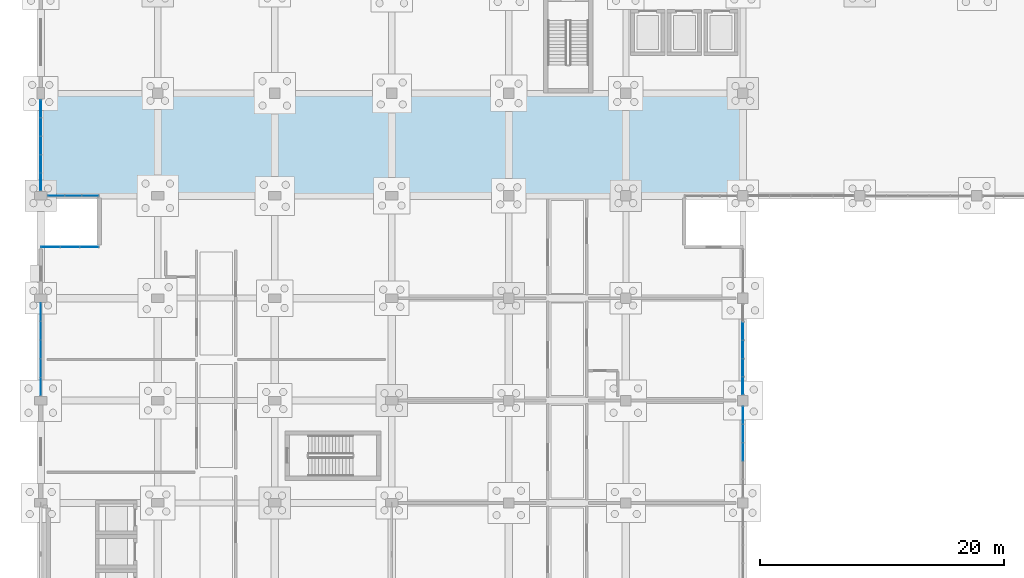
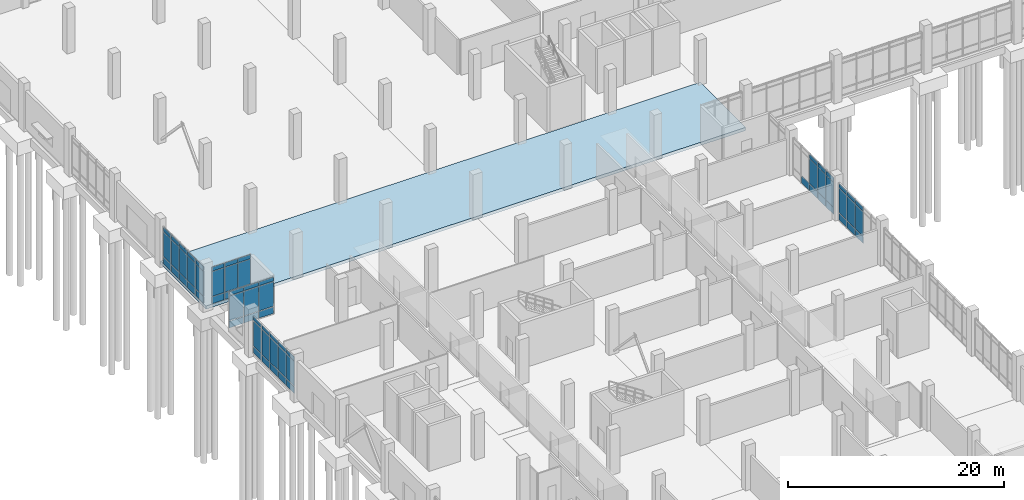
# One storey, part 77 of 136: 67 plates, 1 slab, 6 elements without a shape of their own.
"""IFC4 building model written with IfcOpenShell, lengths in metres."""

from ifc_helpers import new_model, si_unit, direction, frame, origin, origin_2d, place, context, subcontext, project, spatial, polyline, rectangle, outline, extrude, material, layer, layer_set, type_object, element, aggregate, save


model = new_model("IFC4")

# Units and contexts
model_context = context("Model", 3, precision=1e-05, world=origin(), true_north=direction((0.0, 1.0)))
body_context = subcontext(model_context, "Body", "Model", "MODEL_VIEW")
ifc_project = project(units=[si_unit("LENGTHUNIT", "METRE"), si_unit("AREAUNIT", "SQUARE_METRE"), si_unit("VOLUMEUNIT", "CUBIC_METRE"), si_unit("PLANEANGLEUNIT", "RADIAN"), si_unit("MASSUNIT", "GRAM", prefix="KILO")], contexts=[model_context])

# Site, building, storey
site_placement = place(None, origin())
site = spatial("IfcSite", under=ifc_project, at=site_placement, CompositionType="ELEMENT")
building_placement = place(site_placement, origin())
building = spatial("IfcBuilding", under=site, at=building_placement, Name="Oolite Switchyard Hospital", CompositionType="ELEMENT")
storey_placement = place(building_placement, origin())
storey = spatial("IfcBuildingStorey", under=building, at=storey_placement, Name="L00", CompositionType="ELEMENT", Elevation=0.0)

# Curtain wall, plates
ifc_material_1 = material(Name="Thermally broken aluminum frame with laminated impact glazing", Category="aluminium")
curtain_wall_type = type_object("IfcCurtainWallType", Name="CW-UNIT-84X51", PredefinedType="USERDEFINED", material=ifc_material_1)
curtain_wall_1_placement = place(storey_placement, origin())
curtain_wall_1 = element("IfcCurtainWall", 1, at=curtain_wall_1_placement, inside=storey, type_object=curtain_wall_type, Name="L00 Unitised Curtain Wall 56", ObjectType="UNITISED", PredefinedType="USERDEFINED")
ifc_material_2 = material(Name="Insulated fluoropolymer-coated aluminum spandrel panel", Category="aluminium")
ifc_layer_1 = layer(ifc_material_2, 0.054931640625)
ifc_layer_set_1 = layer_set([ifc_layer_1], Name="CW-PNL-SPN55")
plate_type_1 = type_object("IfcPlateType", Name="CW-PNL-SPN55", PredefinedType="CURTAIN_PANEL", material=ifc_layer_set_1)
plate_1_placement = place(storey_placement, frame((0.0, 85.13818359375, 0.06005859375), z_axis=(0.0, 0.0, 1.0), x_axis=(0.0, 1.0, 0.0)))
plate_1 = element("IfcPlate", 2, at=plate_1_placement, type_object=plate_type_1, Name="CW-06 panel 1.1", PredefinedType="CURTAIN_PANEL", context=body_context, shape_type="SweptSolid", body=[
    extrude(rectangle(XDim=1.396484375, YDim=0.054931640625, at=origin_2d()), origin(), (0.0, 0.0, 1.0), 0.760009765625),
])
plate_2_placement = place(storey_placement, frame((0.0, 85.13818359375, 0.8798828125), z_axis=(0.0, 0.0, 1.0), x_axis=(0.0, 1.0, 0.0)))
plate_2 = element("IfcPlate", 3, at=plate_2_placement, type_object=plate_type_1, Name="CW-06 panel 1.2", PredefinedType="CURTAIN_PANEL", context=body_context, shape_type="SweptSolid", body=[
    extrude(rectangle(XDim=1.396484375, YDim=0.054931640625, at=origin_2d()), origin(), (0.0, 0.0, 1.0), 2.780029296875),
])
plate_3_placement = place(storey_placement, frame((0.0, 85.13818359375, 3.719970703125), z_axis=(0.0, 0.0, 1.0), x_axis=(0.0, 1.0, 0.0)))
plate_3 = element("IfcPlate", 4, at=plate_3_placement, type_object=plate_type_1, Name="CW-06 panel 1.3", PredefinedType="CURTAIN_PANEL", context=body_context, shape_type="SweptSolid", body=[
    extrude(rectangle(XDim=1.396484375, YDim=0.054931640625, at=origin_2d()), origin(), (0.0, 0.0, 1.0), 0.4599609375),
])
plate_4_placement = place(storey_placement, frame((0.0, 86.62841796875, 0.06005859375), z_axis=(0.0, 0.0, 1.0), x_axis=(0.0, 1.0, 0.0)))
plate_4 = element("IfcPlate", 5, at=plate_4_placement, type_object=plate_type_1, Name="CW-06 panel 2.1", PredefinedType="CURTAIN_PANEL", context=body_context, shape_type="SweptSolid", body=[
    extrude(rectangle(XDim=1.43408203125, YDim=0.054931640625, at=origin_2d()), origin(), (0.0, 0.0, 1.0), 0.760009765625),
])
plate_5_placement = place(storey_placement, frame((0.0, 86.62841796875, 0.8798828125), z_axis=(0.0, 0.0, 1.0), x_axis=(0.0, 1.0, 0.0)))
plate_5 = element("IfcPlate", 6, at=plate_5_placement, type_object=plate_type_1, Name="CW-06 panel 2.2", PredefinedType="CURTAIN_PANEL", context=body_context, shape_type="SweptSolid", body=[
    extrude(rectangle(XDim=1.43408203125, YDim=0.054931640625, at=origin_2d()), origin(), (0.0, 0.0, 1.0), 2.780029296875),
])
plate_6_placement = place(storey_placement, frame((0.0, 86.62841796875, 3.719970703125), z_axis=(0.0, 0.0, 1.0), x_axis=(0.0, 1.0, 0.0)))
plate_6 = element("IfcPlate", 7, at=plate_6_placement, type_object=plate_type_1, Name="CW-06 panel 2.3", PredefinedType="CURTAIN_PANEL", context=body_context, shape_type="SweptSolid", body=[
    extrude(rectangle(XDim=1.43408203125, YDim=0.054931640625, at=origin_2d()), origin(), (0.0, 0.0, 1.0), 0.4599609375),
])
plate_7_placement = place(storey_placement, frame((0.0, 88.137451171875, 0.06005859375), z_axis=(0.0, 0.0, 1.0), x_axis=(0.0, 1.0, 0.0)))
plate_7 = element("IfcPlate", 8, at=plate_7_placement, type_object=plate_type_1, Name="CW-06 panel 3.1", PredefinedType="CURTAIN_PANEL", context=body_context, shape_type="SweptSolid", body=[
    extrude(rectangle(XDim=1.43408203125, YDim=0.054931640625, at=origin_2d()), origin(), (0.0, 0.0, 1.0), 0.760009765625),
])
plate_8_placement = place(storey_placement, frame((0.0, 88.137451171875, 0.8798828125), z_axis=(0.0, 0.0, 1.0), x_axis=(0.0, 1.0, 0.0)))
plate_8 = element("IfcPlate", 9, at=plate_8_placement, type_object=plate_type_1, Name="CW-06 panel 3.2", PredefinedType="CURTAIN_PANEL", context=body_context, shape_type="SweptSolid", body=[
    extrude(rectangle(XDim=1.43408203125, YDim=0.054931640625, at=origin_2d()), origin(), (0.0, 0.0, 1.0), 2.780029296875),
])
plate_9_placement = place(storey_placement, frame((0.0, 88.137451171875, 3.719970703125), z_axis=(0.0, 0.0, 1.0), x_axis=(0.0, 1.0, 0.0)))
plate_9 = element("IfcPlate", 10, at=plate_9_placement, type_object=plate_type_1, Name="CW-06 panel 3.3", PredefinedType="CURTAIN_PANEL", context=body_context, shape_type="SweptSolid", body=[
    extrude(rectangle(XDim=1.43408203125, YDim=0.054931640625, at=origin_2d()), origin(), (0.0, 0.0, 1.0), 0.4599609375),
])
plate_10_placement = place(storey_placement, frame((0.0, 89.646484375, 0.06005859375), z_axis=(0.0, 0.0, 1.0), x_axis=(0.0, 1.0, 0.0)))
plate_10 = element("IfcPlate", 11, at=plate_10_placement, type_object=plate_type_1, Name="CW-06 panel 4.1", PredefinedType="CURTAIN_PANEL", context=body_context, shape_type="SweptSolid", body=[
    extrude(rectangle(XDim=1.43408203125, YDim=0.054931640625, at=origin_2d()), origin(), (0.0, 0.0, 1.0), 0.760009765625),
])
plate_11_placement = place(storey_placement, frame((0.0, 89.646484375, 0.8798828125), z_axis=(0.0, 0.0, 1.0), x_axis=(0.0, 1.0, 0.0)))
plate_11 = element("IfcPlate", 12, at=plate_11_placement, type_object=plate_type_1, Name="CW-06 panel 4.2", PredefinedType="CURTAIN_PANEL", context=body_context, shape_type="SweptSolid", body=[
    extrude(rectangle(XDim=1.43408203125, YDim=0.054931640625, at=origin_2d()), origin(), (0.0, 0.0, 1.0), 2.780029296875),
])
plate_12_placement = place(storey_placement, frame((0.0, 89.646484375, 3.719970703125), z_axis=(0.0, 0.0, 1.0), x_axis=(0.0, 1.0, 0.0)))
plate_12 = element("IfcPlate", 13, at=plate_12_placement, type_object=plate_type_1, Name="CW-06 panel 4.3", PredefinedType="CURTAIN_PANEL", context=body_context, shape_type="SweptSolid", body=[
    extrude(rectangle(XDim=1.43408203125, YDim=0.054931640625, at=origin_2d()), origin(), (0.0, 0.0, 1.0), 0.4599609375),
])
plate_13_placement = place(storey_placement, frame((0.0, 91.13671875, 0.06005859375), z_axis=(0.0, 0.0, 1.0), x_axis=(0.0, 1.0, 0.0)))
plate_13 = element("IfcPlate", 14, at=plate_13_placement, type_object=plate_type_1, Name="CW-06 panel 5.1", PredefinedType="CURTAIN_PANEL", context=body_context, shape_type="SweptSolid", body=[
    extrude(rectangle(XDim=1.396484375, YDim=0.054931640625, at=origin_2d()), origin(), (0.0, 0.0, 1.0), 0.760009765625),
])
plate_14_placement = place(storey_placement, frame((0.0, 91.13671875, 0.8798828125), z_axis=(0.0, 0.0, 1.0), x_axis=(0.0, 1.0, 0.0)))
plate_14 = element("IfcPlate", 15, at=plate_14_placement, type_object=plate_type_1, Name="CW-06 panel 5.2", PredefinedType="CURTAIN_PANEL", context=body_context, shape_type="SweptSolid", body=[
    extrude(rectangle(XDim=1.396484375, YDim=0.054931640625, at=origin_2d()), origin(), (0.0, 0.0, 1.0), 2.780029296875),
])
plate_15_placement = place(storey_placement, frame((0.0, 91.13671875, 3.719970703125), z_axis=(0.0, 0.0, 1.0), x_axis=(0.0, 1.0, 0.0)))
plate_15 = element("IfcPlate", 16, at=plate_15_placement, type_object=plate_type_1, Name="CW-06 panel 5.3", PredefinedType="CURTAIN_PANEL", context=body_context, shape_type="SweptSolid", body=[
    extrude(rectangle(XDim=1.396484375, YDim=0.054931640625, at=origin_2d()), origin(), (0.0, 0.0, 1.0), 0.4599609375),
])
aggregate(curtain_wall_1, [plate_1, plate_2, plate_3, plate_4, plate_5, plate_6, plate_7, plate_8, plate_9, plate_10, plate_11, plate_12, plate_13, plate_14, plate_15])

curtain_wall_2_placement = place(storey_placement, origin())
curtain_wall_2 = element("IfcCurtainWall", 17, at=curtain_wall_2_placement, inside=storey, type_object=curtain_wall_type, Name="L00 Unitised Curtain Wall 62", ObjectType="UNITISED", PredefinedType="USERDEFINED")
ifc_layer_2 = layer(ifc_material_2, 0.070068359375)
ifc_layer_set_2 = layer_set([ifc_layer_2], Name="CW-PNL-SPN70")
plate_type_2 = type_object("IfcPlateType", Name="CW-PNL-SPN70", PredefinedType="CURTAIN_PANEL", material=ifc_layer_set_2)
plate_16_placement = place(storey_placement, frame((57.60009765625, 72.904052734375, 0.06005859375), z_axis=(0.0, 0.0, 1.0), x_axis=(0.0, -1.0, 0.0)))
plate_16 = element("IfcPlate", 18, at=plate_16_placement, type_object=plate_type_2, Name="CW-06 panel 2.1", PredefinedType="CURTAIN_PANEL", context=body_context, shape_type="SweptSolid", body=[
    extrude(rectangle(XDim=1.428955078125, YDim=0.070068359375, at=origin_2d()), origin(), (0.0, 0.0, 1.0), 0.760009765625),
])
plate_17_placement = place(storey_placement, frame((57.60009765625, 71.39990234375, 0.06005859375), z_axis=(0.0, 0.0, 1.0), x_axis=(0.0, -1.0, 0.0)))
plate_17 = element("IfcPlate", 19, at=plate_17_placement, type_object=plate_type_2, Name="CW-06 panel 3.1", PredefinedType="CURTAIN_PANEL", context=body_context, shape_type="SweptSolid", body=[
    extrude(rectangle(XDim=1.428955078125, YDim=0.070068359375, at=origin_2d()), origin(), (0.0, 0.0, 1.0), 0.760009765625),
])
plate_18_placement = place(storey_placement, frame((57.60009765625, 71.39990234375, 0.8798828125), z_axis=(0.0, 0.0, 1.0), x_axis=(0.0, -1.0, 0.0)))
plate_18 = element("IfcPlate", 20, at=plate_18_placement, type_object=plate_type_2, Name="CW-06 panel 3.2", PredefinedType="CURTAIN_PANEL", context=body_context, shape_type="SweptSolid", body=[
    extrude(rectangle(XDim=1.428955078125, YDim=0.070068359375, at=origin_2d()), origin(), (0.0, 0.0, 1.0), 2.780029296875),
])
plate_19_placement = place(storey_placement, frame((57.60009765625, 71.39990234375, 3.719970703125), z_axis=(0.0, 0.0, 1.0), x_axis=(0.0, -1.0, 0.0)))
plate_19 = element("IfcPlate", 21, at=plate_19_placement, type_object=plate_type_2, Name="CW-06 panel 3.3", PredefinedType="CURTAIN_PANEL", context=body_context, shape_type="SweptSolid", body=[
    extrude(rectangle(XDim=1.428955078125, YDim=0.070068359375, at=origin_2d()), origin(), (0.0, 0.0, 1.0), 0.4599609375),
])
plate_20_placement = place(storey_placement, frame((57.60009765625, 69.89599609375, 0.06005859375), z_axis=(0.0, 0.0, 1.0), x_axis=(0.0, -1.0, 0.0)))
plate_20 = element("IfcPlate", 22, at=plate_20_placement, type_object=plate_type_2, Name="CW-06 panel 4.1", PredefinedType="CURTAIN_PANEL", context=body_context, shape_type="SweptSolid", body=[
    extrude(rectangle(XDim=1.428955078125, YDim=0.070068359375, at=origin_2d()), origin(), (0.0, 0.0, 1.0), 0.760009765625),
])
plate_21_placement = place(storey_placement, frame((57.60009765625, 69.89599609375, 0.8798828125), z_axis=(0.0, 0.0, 1.0), x_axis=(0.0, -1.0, 0.0)))
plate_21 = element("IfcPlate", 23, at=plate_21_placement, type_object=plate_type_2, Name="CW-06 panel 4.2", PredefinedType="CURTAIN_PANEL", context=body_context, shape_type="SweptSolid", body=[
    extrude(rectangle(XDim=1.428955078125, YDim=0.070068359375, at=origin_2d()), origin(), (0.0, 0.0, 1.0), 2.780029296875),
])
plate_22_placement = place(storey_placement, frame((57.60009765625, 69.89599609375, 3.719970703125), z_axis=(0.0, 0.0, 1.0), x_axis=(0.0, -1.0, 0.0)))
plate_22 = element("IfcPlate", 24, at=plate_22_placement, type_object=plate_type_2, Name="CW-06 panel 4.3", PredefinedType="CURTAIN_PANEL", context=body_context, shape_type="SweptSolid", body=[
    extrude(rectangle(XDim=1.428955078125, YDim=0.070068359375, at=origin_2d()), origin(), (0.0, 0.0, 1.0), 0.4599609375),
])
plate_23_placement = place(storey_placement, frame((57.60009765625, 68.41064453125, 0.06005859375), z_axis=(0.0, 0.0, 1.0), x_axis=(0.0, -1.0, 0.0)))
plate_23 = element("IfcPlate", 25, at=plate_23_placement, type_object=plate_type_2, Name="CW-06 panel 5.1", PredefinedType="CURTAIN_PANEL", context=body_context, shape_type="SweptSolid", body=[
    extrude(rectangle(XDim=1.3916015625, YDim=0.070068359375, at=origin_2d()), origin(), (0.0, 0.0, 1.0), 0.760009765625),
])
plate_24_placement = place(storey_placement, frame((57.60009765625, 68.41064453125, 0.8798828125), z_axis=(0.0, 0.0, 1.0), x_axis=(0.0, -1.0, 0.0)))
plate_24 = element("IfcPlate", 26, at=plate_24_placement, type_object=plate_type_2, Name="CW-06 panel 5.2", PredefinedType="CURTAIN_PANEL", context=body_context, shape_type="SweptSolid", body=[
    extrude(rectangle(XDim=1.3916015625, YDim=0.070068359375, at=origin_2d()), origin(), (0.0, 0.0, 1.0), 2.780029296875),
])
plate_25_placement = place(storey_placement, frame((57.60009765625, 68.41064453125, 3.719970703125), z_axis=(0.0, 0.0, 1.0), x_axis=(0.0, -1.0, 0.0)))
plate_25 = element("IfcPlate", 27, at=plate_25_placement, type_object=plate_type_2, Name="CW-06 panel 5.3", PredefinedType="CURTAIN_PANEL", context=body_context, shape_type="SweptSolid", body=[
    extrude(rectangle(XDim=1.3916015625, YDim=0.070068359375, at=origin_2d()), origin(), (0.0, 0.0, 1.0), 0.4599609375),
])
aggregate(curtain_wall_2, [plate_16, plate_17, plate_18, plate_19, plate_20, plate_21, plate_22, plate_23, plate_24, plate_25])

curtain_wall_3_placement = place(storey_placement, origin())
curtain_wall_3 = element("IfcCurtainWall", 28, at=curtain_wall_3_placement, inside=storey, type_object=curtain_wall_type, Name="L00 Unitised Curtain Wall 28", ObjectType="UNITISED", PredefinedType="USERDEFINED")
ifc_material_3 = material(Name="Laminated hurricane-impact insulated glazing unit", Category="glass")
ifc_layer_3 = layer(ifc_material_3, 0.028076171875)
ifc_layer_set_3 = layer_set([ifc_layer_3], Name="CW-PNL-VIS28")
plate_type_3 = type_object("IfcPlateType", Name="CW-PNL-VIS28", PredefinedType="CURTAIN_PANEL", material=ifc_layer_set_3)
plate_26_placement = place(storey_placement, frame((4.072509765625, 84.0, 0.06005859375), z_axis=(0.0, 0.0, 1.0), x_axis=(-1.0, 0.0, 0.0)))
plate_26 = element("IfcPlate", 29, at=plate_26_placement, type_object=plate_type_3, Name="CW-06 panel 1.1", PredefinedType="CURTAIN_PANEL", context=body_context, shape_type="SweptSolid", body=[
    extrude(rectangle(XDim=1.31494140625, YDim=0.028076171875, at=origin_2d()), origin(), (0.0, 0.0, 1.0), 0.760009765625),
])
plate_27_placement = place(storey_placement, frame((4.072509765625, 84.0, 0.8798828125), z_axis=(0.0, 0.0, 1.0), x_axis=(-1.0, 0.0, 0.0)))
plate_27 = element("IfcPlate", 30, at=plate_27_placement, type_object=plate_type_3, Name="CW-06 panel 1.2", PredefinedType="CURTAIN_PANEL", context=body_context, shape_type="SweptSolid", body=[
    extrude(rectangle(XDim=1.31494140625, YDim=0.028076171875, at=origin_2d()), origin(), (0.0, 0.0, 1.0), 2.780029296875),
])
plate_28_placement = place(storey_placement, frame((4.072509765625, 84.0, 3.719970703125), z_axis=(0.0, 0.0, 1.0), x_axis=(-1.0, 0.0, 0.0)))
plate_28 = element("IfcPlate", 31, at=plate_28_placement, type_object=plate_type_3, Name="CW-06 panel 1.3", PredefinedType="CURTAIN_PANEL", context=body_context, shape_type="SweptSolid", body=[
    extrude(rectangle(XDim=1.31494140625, YDim=0.028076171875, at=origin_2d()), origin(), (0.0, 0.0, 1.0), 0.4599609375),
])
plate_29_placement = place(storey_placement, frame((2.669921875, 84.0, 0.06005859375), z_axis=(0.0, 0.0, 1.0), x_axis=(-1.0, 0.0, 0.0)))
plate_29 = element("IfcPlate", 32, at=plate_29_placement, type_object=plate_type_3, Name="CW-06 panel 2.1", PredefinedType="CURTAIN_PANEL", context=body_context, shape_type="SweptSolid", body=[
    extrude(rectangle(XDim=1.35009765625, YDim=0.028076171875, at=origin_2d()), origin(), (0.0, 0.0, 1.0), 0.760009765625),
])
plate_30_placement = place(storey_placement, frame((2.669921875, 84.0, 0.8798828125), z_axis=(0.0, 0.0, 1.0), x_axis=(-1.0, 0.0, 0.0)))
plate_30 = element("IfcPlate", 33, at=plate_30_placement, type_object=plate_type_3, Name="CW-06 panel 2.2", PredefinedType="CURTAIN_PANEL", context=body_context, shape_type="SweptSolid", body=[
    extrude(rectangle(XDim=1.35009765625, YDim=0.028076171875, at=origin_2d()), origin(), (0.0, 0.0, 1.0), 2.780029296875),
])
plate_31_placement = place(storey_placement, frame((2.669921875, 84.0, 3.719970703125), z_axis=(0.0, 0.0, 1.0), x_axis=(-1.0, 0.0, 0.0)))
plate_31 = element("IfcPlate", 34, at=plate_31_placement, type_object=plate_type_3, Name="CW-06 panel 2.3", PredefinedType="CURTAIN_PANEL", context=body_context, shape_type="SweptSolid", body=[
    extrude(rectangle(XDim=1.35009765625, YDim=0.028076171875, at=origin_2d()), origin(), (0.0, 0.0, 1.0), 0.4599609375),
])
plate_32_placement = place(storey_placement, frame((1.267578125, 84.0, 0.06005859375), z_axis=(0.0, 0.0, 1.0), x_axis=(-1.0, 0.0, 0.0)))
plate_32 = element("IfcPlate", 35, at=plate_32_placement, type_object=plate_type_3, Name="CW-06 panel 3.1", PredefinedType="CURTAIN_PANEL", context=body_context, shape_type="SweptSolid", body=[
    extrude(rectangle(XDim=1.31494140625, YDim=0.028076171875, at=origin_2d()), origin(), (0.0, 0.0, 1.0), 0.760009765625),
])
plate_33_placement = place(storey_placement, frame((1.267578125, 84.0, 0.8798828125), z_axis=(0.0, 0.0, 1.0), x_axis=(-1.0, 0.0, 0.0)))
plate_33 = element("IfcPlate", 36, at=plate_33_placement, type_object=plate_type_3, Name="CW-06 panel 3.2", PredefinedType="CURTAIN_PANEL", context=body_context, shape_type="SweptSolid", body=[
    extrude(rectangle(XDim=1.31494140625, YDim=0.028076171875, at=origin_2d()), origin(), (0.0, 0.0, 1.0), 2.780029296875),
])
plate_34_placement = place(storey_placement, frame((1.267578125, 84.0, 3.719970703125), z_axis=(0.0, 0.0, 1.0), x_axis=(-1.0, 0.0, 0.0)))
plate_34 = element("IfcPlate", 37, at=plate_34_placement, type_object=plate_type_3, Name="CW-06 panel 3.3", PredefinedType="CURTAIN_PANEL", context=body_context, shape_type="SweptSolid", body=[
    extrude(rectangle(XDim=1.31494140625, YDim=0.028076171875, at=origin_2d()), origin(), (0.0, 0.0, 1.0), 0.4599609375),
])
aggregate(curtain_wall_3, [plate_26, plate_27, plate_28, plate_29, plate_30, plate_31, plate_32, plate_33, plate_34])

curtain_wall_4_placement = place(storey_placement, origin())
curtain_wall_4 = element("IfcCurtainWall", 38, at=curtain_wall_4_placement, inside=storey, type_object=curtain_wall_type, Name="L00 Unitised Curtain Wall 55", ObjectType="UNITISED", PredefinedType="USERDEFINED")
ifc_layer_4 = layer(ifc_material_3, 0.031982421875)
ifc_layer_set_4 = layer_set([ifc_layer_4], Name="CW-PNL-VIS32")
plate_type_4 = type_object("IfcPlateType", Name="CW-PNL-VIS32", PredefinedType="CURTAIN_PANEL", material=ifc_layer_set_4)
plate_35_placement = place(storey_placement, frame((0.0, 68.349609375, 0.0751953125), z_axis=(0.0, 0.0, 1.0), x_axis=(0.0, 1.0, 0.0)))
plate_35 = element("IfcPlate", 39, at=plate_35_placement, type_object=plate_type_4, Name="CW-06 panel 1.1", PredefinedType="CURTAIN_PANEL", context=body_context, shape_type="SweptSolid", body=[
    extrude(rectangle(XDim=1.428955078125, YDim=0.031982421875, at=origin_2d()), origin(), (0.0, 0.0, 1.0), 0.737548828125),
])
plate_36_placement = place(storey_placement, frame((0.0, 68.349609375, 0.8876953125), z_axis=(0.0, 0.0, 1.0), x_axis=(0.0, 1.0, 0.0)))
plate_36 = element("IfcPlate", 40, at=plate_36_placement, type_object=plate_type_4, Name="CW-06 panel 1.2", PredefinedType="CURTAIN_PANEL", context=body_context, shape_type="SweptSolid", body=[
    extrude(rectangle(XDim=1.428955078125, YDim=0.031982421875, at=origin_2d()), origin(), (0.0, 0.0, 1.0), 2.764892578125),
])
plate_37_placement = place(storey_placement, frame((0.0, 68.349609375, 3.7275390625), z_axis=(0.0, 0.0, 1.0), x_axis=(0.0, 1.0, 0.0)))
plate_37 = element("IfcPlate", 41, at=plate_37_placement, type_object=plate_type_4, Name="CW-06 panel 1.3", PredefinedType="CURTAIN_PANEL", context=body_context, shape_type="SweptSolid", body=[
    extrude(rectangle(XDim=1.428955078125, YDim=0.031982421875, at=origin_2d()), origin(), (0.0, 0.0, 1.0), 0.4375),
])
plate_38_placement = place(storey_placement, frame((0.0, 69.865966796875, 0.0751953125), z_axis=(0.0, 0.0, 1.0), x_axis=(0.0, 1.0, 0.0)))
plate_38 = element("IfcPlate", 42, at=plate_38_placement, type_object=plate_type_4, Name="CW-06 panel 2.1", PredefinedType="CURTAIN_PANEL", context=body_context, shape_type="SweptSolid", body=[
    extrude(rectangle(XDim=1.464111328125, YDim=0.031982421875, at=origin_2d()), origin(), (0.0, 0.0, 1.0), 0.737548828125),
])
plate_39_placement = place(storey_placement, frame((0.0, 69.865966796875, 0.8876953125), z_axis=(0.0, 0.0, 1.0), x_axis=(0.0, 1.0, 0.0)))
plate_39 = element("IfcPlate", 43, at=plate_39_placement, type_object=plate_type_4, Name="CW-06 panel 2.2", PredefinedType="CURTAIN_PANEL", context=body_context, shape_type="SweptSolid", body=[
    extrude(rectangle(XDim=1.464111328125, YDim=0.031982421875, at=origin_2d()), origin(), (0.0, 0.0, 1.0), 2.764892578125),
])
plate_40_placement = place(storey_placement, frame((0.0, 69.865966796875, 3.7275390625), z_axis=(0.0, 0.0, 1.0), x_axis=(0.0, 1.0, 0.0)))
plate_40 = element("IfcPlate", 44, at=plate_40_placement, type_object=plate_type_4, Name="CW-06 panel 2.3", PredefinedType="CURTAIN_PANEL", context=body_context, shape_type="SweptSolid", body=[
    extrude(rectangle(XDim=1.464111328125, YDim=0.031982421875, at=origin_2d()), origin(), (0.0, 0.0, 1.0), 0.4375),
])
plate_41_placement = place(storey_placement, frame((0.0, 71.39990234375, 0.0751953125), z_axis=(0.0, 0.0, 1.0), x_axis=(0.0, 1.0, 0.0)))
plate_41 = element("IfcPlate", 45, at=plate_41_placement, type_object=plate_type_4, Name="CW-06 panel 3.1", PredefinedType="CURTAIN_PANEL", context=body_context, shape_type="SweptSolid", body=[
    extrude(rectangle(XDim=1.464111328125, YDim=0.031982421875, at=origin_2d()), origin(), (0.0, 0.0, 1.0), 0.737548828125),
])
plate_42_placement = place(storey_placement, frame((0.0, 71.39990234375, 0.8876953125), z_axis=(0.0, 0.0, 1.0), x_axis=(0.0, 1.0, 0.0)))
plate_42 = element("IfcPlate", 46, at=plate_42_placement, type_object=plate_type_4, Name="CW-06 panel 3.2", PredefinedType="CURTAIN_PANEL", context=body_context, shape_type="SweptSolid", body=[
    extrude(rectangle(XDim=1.464111328125, YDim=0.031982421875, at=origin_2d()), origin(), (0.0, 0.0, 1.0), 2.764892578125),
])
plate_43_placement = place(storey_placement, frame((0.0, 71.39990234375, 3.7275390625), z_axis=(0.0, 0.0, 1.0), x_axis=(0.0, 1.0, 0.0)))
plate_43 = element("IfcPlate", 47, at=plate_43_placement, type_object=plate_type_4, Name="CW-06 panel 3.3", PredefinedType="CURTAIN_PANEL", context=body_context, shape_type="SweptSolid", body=[
    extrude(rectangle(XDim=1.464111328125, YDim=0.031982421875, at=origin_2d()), origin(), (0.0, 0.0, 1.0), 0.4375),
])
plate_44_placement = place(storey_placement, frame((0.0, 72.93408203125, 0.0751953125), z_axis=(0.0, 0.0, 1.0), x_axis=(0.0, 1.0, 0.0)))
plate_44 = element("IfcPlate", 48, at=plate_44_placement, type_object=plate_type_4, Name="CW-06 panel 4.1", PredefinedType="CURTAIN_PANEL", context=body_context, shape_type="SweptSolid", body=[
    extrude(rectangle(XDim=1.464111328125, YDim=0.031982421875, at=origin_2d()), origin(), (0.0, 0.0, 1.0), 0.737548828125),
])
plate_45_placement = place(storey_placement, frame((0.0, 72.93408203125, 0.8876953125), z_axis=(0.0, 0.0, 1.0), x_axis=(0.0, 1.0, 0.0)))
plate_45 = element("IfcPlate", 49, at=plate_45_placement, type_object=plate_type_4, Name="CW-06 panel 4.2", PredefinedType="CURTAIN_PANEL", context=body_context, shape_type="SweptSolid", body=[
    extrude(rectangle(XDim=1.464111328125, YDim=0.031982421875, at=origin_2d()), origin(), (0.0, 0.0, 1.0), 2.764892578125),
])
plate_46_placement = place(storey_placement, frame((0.0, 72.93408203125, 3.7275390625), z_axis=(0.0, 0.0, 1.0), x_axis=(0.0, 1.0, 0.0)))
plate_46 = element("IfcPlate", 50, at=plate_46_placement, type_object=plate_type_4, Name="CW-06 panel 4.3", PredefinedType="CURTAIN_PANEL", context=body_context, shape_type="SweptSolid", body=[
    extrude(rectangle(XDim=1.464111328125, YDim=0.031982421875, at=origin_2d()), origin(), (0.0, 0.0, 1.0), 0.4375),
])
plate_47_placement = place(storey_placement, frame((0.0, 74.450439453125, 0.0751953125), z_axis=(0.0, 0.0, 1.0), x_axis=(0.0, 1.0, 0.0)))
plate_47 = element("IfcPlate", 51, at=plate_47_placement, type_object=plate_type_4, Name="CW-06 panel 5.1", PredefinedType="CURTAIN_PANEL", context=body_context, shape_type="SweptSolid", body=[
    extrude(rectangle(XDim=1.428955078125, YDim=0.031982421875, at=origin_2d()), origin(), (0.0, 0.0, 1.0), 0.737548828125),
])
plate_48_placement = place(storey_placement, frame((0.0, 74.450439453125, 0.8876953125), z_axis=(0.0, 0.0, 1.0), x_axis=(0.0, 1.0, 0.0)))
plate_48 = element("IfcPlate", 52, at=plate_48_placement, type_object=plate_type_4, Name="CW-06 panel 5.2", PredefinedType="CURTAIN_PANEL", context=body_context, shape_type="SweptSolid", body=[
    extrude(rectangle(XDim=1.428955078125, YDim=0.031982421875, at=origin_2d()), origin(), (0.0, 0.0, 1.0), 2.764892578125),
])
plate_49_placement = place(storey_placement, frame((0.0, 74.450439453125, 3.7275390625), z_axis=(0.0, 0.0, 1.0), x_axis=(0.0, 1.0, 0.0)))
plate_49 = element("IfcPlate", 53, at=plate_49_placement, type_object=plate_type_4, Name="CW-06 panel 5.3", PredefinedType="CURTAIN_PANEL", context=body_context, shape_type="SweptSolid", body=[
    extrude(rectangle(XDim=1.428955078125, YDim=0.031982421875, at=origin_2d()), origin(), (0.0, 0.0, 1.0), 0.4375),
])
aggregate(curtain_wall_4, [plate_35, plate_36, plate_37, plate_38, plate_39, plate_40, plate_41, plate_42, plate_43, plate_44, plate_45, plate_46, plate_47, plate_48, plate_49])

curtain_wall_5_placement = place(storey_placement, origin())
curtain_wall_5 = element("IfcCurtainWall", 54, at=curtain_wall_5_placement, inside=storey, type_object=curtain_wall_type, Name="L00 Unitised Curtain Wall 27", ObjectType="UNITISED", PredefinedType="USERDEFINED")
ifc_layer_5 = layer(ifc_material_3, 0.0419921875)
ifc_layer_set_5 = layer_set([ifc_layer_5], Name="CW-PNL-VIS42")
plate_type_5 = type_object("IfcPlateType", Name="CW-PNL-VIS42", PredefinedType="CURTAIN_PANEL", material=ifc_layer_set_5)
plate_50_placement = place(storey_placement, frame((0.81494140625, 79.800048828125, 0.0751953125), z_axis=(0.0, 0.0, 1.0), x_axis=(1.0, 0.0, 0.0)))
plate_50 = element("IfcPlate", 55, at=plate_50_placement, type_object=plate_type_5, Name="CW-06 panel 1.1", PredefinedType="CURTAIN_PANEL", context=body_context, shape_type="SweptSolid", body=[
    extrude(rectangle(XDim=1.510009765625, YDim=0.0419921875, at=origin_2d()), origin(), (0.0, 0.0, 1.0), 0.737548828125),
])
plate_51_placement = place(storey_placement, frame((0.81494140625, 79.800048828125, 0.8876953125), z_axis=(0.0, 0.0, 1.0), x_axis=(1.0, 0.0, 0.0)))
plate_51 = element("IfcPlate", 56, at=plate_51_placement, type_object=plate_type_5, Name="CW-06 panel 1.2", PredefinedType="CURTAIN_PANEL", context=body_context, shape_type="SweptSolid", body=[
    extrude(rectangle(XDim=1.510009765625, YDim=0.0419921875, at=origin_2d()), origin(), (0.0, 0.0, 1.0), 2.764892578125),
])
plate_52_placement = place(storey_placement, frame((0.81494140625, 79.800048828125, 3.7275390625), z_axis=(0.0, 0.0, 1.0), x_axis=(1.0, 0.0, 0.0)))
plate_52 = element("IfcPlate", 57, at=plate_52_placement, type_object=plate_type_5, Name="CW-06 panel 1.3", PredefinedType="CURTAIN_PANEL", context=body_context, shape_type="SweptSolid", body=[
    extrude(rectangle(XDim=1.510009765625, YDim=0.0419921875, at=origin_2d()), origin(), (0.0, 0.0, 1.0), 0.4375),
])
plate_53_placement = place(storey_placement, frame((2.39990234375, 79.800048828125, 0.0751953125), z_axis=(0.0, 0.0, 1.0), x_axis=(1.0, 0.0, 0.0)))
plate_53 = element("IfcPlate", 58, at=plate_53_placement, type_object=plate_type_5, Name="CW-06 panel 2.1", PredefinedType="CURTAIN_PANEL", context=body_context, shape_type="SweptSolid", body=[
    extrude(rectangle(XDim=1.5400390625, YDim=0.0419921875, at=origin_2d()), origin(), (0.0, 0.0, 1.0), 0.737548828125),
])
plate_54_placement = place(storey_placement, frame((2.39990234375, 79.800048828125, 0.8876953125), z_axis=(0.0, 0.0, 1.0), x_axis=(1.0, 0.0, 0.0)))
plate_54 = element("IfcPlate", 59, at=plate_54_placement, type_object=plate_type_5, Name="CW-06 panel 2.2", PredefinedType="CURTAIN_PANEL", context=body_context, shape_type="SweptSolid", body=[
    extrude(rectangle(XDim=1.5400390625, YDim=0.0419921875, at=origin_2d()), origin(), (0.0, 0.0, 1.0), 2.764892578125),
])
plate_55_placement = place(storey_placement, frame((2.39990234375, 79.800048828125, 3.7275390625), z_axis=(0.0, 0.0, 1.0), x_axis=(1.0, 0.0, 0.0)))
plate_55 = element("IfcPlate", 60, at=plate_55_placement, type_object=plate_type_5, Name="CW-06 panel 2.3", PredefinedType="CURTAIN_PANEL", context=body_context, shape_type="SweptSolid", body=[
    extrude(rectangle(XDim=1.5400390625, YDim=0.0419921875, at=origin_2d()), origin(), (0.0, 0.0, 1.0), 0.4375),
])
plate_56_placement = place(storey_placement, frame((3.985107421875, 79.800048828125, 0.0751953125), z_axis=(0.0, 0.0, 1.0), x_axis=(1.0, 0.0, 0.0)))
plate_56 = element("IfcPlate", 61, at=plate_56_placement, type_object=plate_type_5, Name="CW-06 panel 3.1", PredefinedType="CURTAIN_PANEL", context=body_context, shape_type="SweptSolid", body=[
    extrude(rectangle(XDim=1.510009765625, YDim=0.0419921875, at=origin_2d()), origin(), (0.0, 0.0, 1.0), 0.737548828125),
])
plate_57_placement = place(storey_placement, frame((3.985107421875, 79.800048828125, 0.8876953125), z_axis=(0.0, 0.0, 1.0), x_axis=(1.0, 0.0, 0.0)))
plate_57 = element("IfcPlate", 62, at=plate_57_placement, type_object=plate_type_5, Name="CW-06 panel 3.2", PredefinedType="CURTAIN_PANEL", context=body_context, shape_type="SweptSolid", body=[
    extrude(rectangle(XDim=1.510009765625, YDim=0.0419921875, at=origin_2d()), origin(), (0.0, 0.0, 1.0), 2.764892578125),
])
plate_58_placement = place(storey_placement, frame((3.985107421875, 79.800048828125, 3.7275390625), z_axis=(0.0, 0.0, 1.0), x_axis=(1.0, 0.0, 0.0)))
plate_58 = element("IfcPlate", 63, at=plate_58_placement, type_object=plate_type_5, Name="CW-06 panel 3.3", PredefinedType="CURTAIN_PANEL", context=body_context, shape_type="SweptSolid", body=[
    extrude(rectangle(XDim=1.510009765625, YDim=0.0419921875, at=origin_2d()), origin(), (0.0, 0.0, 1.0), 0.4375),
])
aggregate(curtain_wall_5, [plate_50, plate_51, plate_52, plate_53, plate_54, plate_55, plate_56, plate_57, plate_58])

curtain_wall_6_placement = place(storey_placement, origin())
curtain_wall_6 = element("IfcCurtainWall", 64, at=curtain_wall_6_placement, inside=storey, type_object=curtain_wall_type, Name="L00 Unitised Curtain Wall 61", ObjectType="UNITISED", PredefinedType="USERDEFINED")
plate_59_placement = place(storey_placement, frame((57.60009765625, 65.990478515625, 0.0751953125), z_axis=(0.0, 0.0, 1.0), x_axis=(0.0, -1.0, 0.0)))
plate_59 = element("IfcPlate", 65, at=plate_59_placement, type_object=plate_type_5, Name="CW-06 panel 1.1", PredefinedType="CURTAIN_PANEL", context=body_context, shape_type="SweptSolid", body=[
    extrude(rectangle(XDim=1.39892578125, YDim=0.0419921875, at=origin_2d()), origin(), (0.0, 0.0, 1.0), 0.737548828125),
])
plate_60_placement = place(storey_placement, frame((57.60009765625, 65.990478515625, 0.8876953125), z_axis=(0.0, 0.0, 1.0), x_axis=(0.0, -1.0, 0.0)))
plate_60 = element("IfcPlate", 66, at=plate_60_placement, type_object=plate_type_5, Name="CW-06 panel 1.2", PredefinedType="CURTAIN_PANEL", context=body_context, shape_type="SweptSolid", body=[
    extrude(rectangle(XDim=1.39892578125, YDim=0.0419921875, at=origin_2d()), origin(), (0.0, 0.0, 1.0), 2.764892578125),
])
plate_61_placement = place(storey_placement, frame((57.60009765625, 65.990478515625, 3.7275390625), z_axis=(0.0, 0.0, 1.0), x_axis=(0.0, -1.0, 0.0)))
plate_61 = element("IfcPlate", 67, at=plate_61_placement, type_object=plate_type_5, Name="CW-06 panel 1.3", PredefinedType="CURTAIN_PANEL", context=body_context, shape_type="SweptSolid", body=[
    extrude(rectangle(XDim=1.39892578125, YDim=0.0419921875, at=origin_2d()), origin(), (0.0, 0.0, 1.0), 0.4375),
])
plate_62_placement = place(storey_placement, frame((57.60009765625, 64.50390625, 0.0751953125), z_axis=(0.0, 0.0, 1.0), x_axis=(0.0, -1.0, 0.0)))
plate_62 = element("IfcPlate", 68, at=plate_62_placement, type_object=plate_type_5, Name="CW-06 panel 2.1", PredefinedType="CURTAIN_PANEL", context=body_context, shape_type="SweptSolid", body=[
    extrude(rectangle(XDim=1.43408203125, YDim=0.0419921875, at=origin_2d()), origin(), (0.0, 0.0, 1.0), 0.737548828125),
])
plate_63_placement = place(storey_placement, frame((57.60009765625, 64.50390625, 0.8876953125), z_axis=(0.0, 0.0, 1.0), x_axis=(0.0, -1.0, 0.0)))
plate_63 = element("IfcPlate", 69, at=plate_63_placement, type_object=plate_type_5, Name="CW-06 panel 2.2", PredefinedType="CURTAIN_PANEL", context=body_context, shape_type="SweptSolid", body=[
    extrude(rectangle(XDim=1.43408203125, YDim=0.0419921875, at=origin_2d()), origin(), (0.0, 0.0, 1.0), 2.764892578125),
])
plate_64_placement = place(storey_placement, frame((57.60009765625, 64.50390625, 3.7275390625), z_axis=(0.0, 0.0, 1.0), x_axis=(0.0, -1.0, 0.0)))
plate_64 = element("IfcPlate", 70, at=plate_64_placement, type_object=plate_type_5, Name="CW-06 panel 2.3", PredefinedType="CURTAIN_PANEL", context=body_context, shape_type="SweptSolid", body=[
    extrude(rectangle(XDim=1.43408203125, YDim=0.0419921875, at=origin_2d()), origin(), (0.0, 0.0, 1.0), 0.4375),
])
plate_65_placement = place(storey_placement, frame((57.60009765625, 63.0, 0.0751953125), z_axis=(0.0, 0.0, 1.0), x_axis=(0.0, -1.0, 0.0)))
plate_65 = element("IfcPlate", 71, at=plate_65_placement, type_object=plate_type_5, Name="CW-06 panel 3.1", PredefinedType="CURTAIN_PANEL", context=body_context, shape_type="SweptSolid", body=[
    extrude(rectangle(XDim=1.43408203125, YDim=0.0419921875, at=origin_2d()), origin(), (0.0, 0.0, 1.0), 0.737548828125),
])
plate_66_placement = place(storey_placement, frame((57.60009765625, 63.0, 0.8876953125), z_axis=(0.0, 0.0, 1.0), x_axis=(0.0, -1.0, 0.0)))
plate_66 = element("IfcPlate", 72, at=plate_66_placement, type_object=plate_type_5, Name="CW-06 panel 3.2", PredefinedType="CURTAIN_PANEL", context=body_context, shape_type="SweptSolid", body=[
    extrude(rectangle(XDim=1.43408203125, YDim=0.0419921875, at=origin_2d()), origin(), (0.0, 0.0, 1.0), 2.764892578125),
])
plate_67_placement = place(storey_placement, frame((57.60009765625, 63.0, 3.7275390625), z_axis=(0.0, 0.0, 1.0), x_axis=(0.0, -1.0, 0.0)))
plate_67 = element("IfcPlate", 73, at=plate_67_placement, type_object=plate_type_5, Name="CW-06 panel 3.3", PredefinedType="CURTAIN_PANEL", context=body_context, shape_type="SweptSolid", body=[
    extrude(rectangle(XDim=1.43408203125, YDim=0.0419921875, at=origin_2d()), origin(), (0.0, 0.0, 1.0), 0.4375),
])
aggregate(curtain_wall_6, [plate_59, plate_60, plate_61, plate_62, plate_63, plate_64, plate_65, plate_66, plate_67])

# Slab
ifc_material_4 = material(Name="Concrete C40/50", Category="concrete")
ifc_layer_6 = layer(ifc_material_4, 0.35009765625)
ifc_layer_set_6 = layer_set([ifc_layer_6], Name="SLB-BASE-350")
slab_type = type_object("IfcSlabType", Name="SLB-BASE-350", PredefinedType="BASESLAB", material=ifc_layer_set_6)
slab_placement = place(storey_placement, frame((0.0, 0.0, -0.35009765625)))
element("IfcSlab", 74, at=slab_placement, inside=storey, type_object=slab_type, Name="L00 V3 Slab V3S", PredefinedType="BASESLAB", context=body_context, shape_type="SweptSolid", body=[
    extrude(outline(polyline([(0.0, 84.0), (57.60009765625, 84.0), (57.60009765625, 92.39990234375), (0.0, 92.39990234375), (0.0, 84.0)])), origin(), (0.0, 0.0, 1.0), 0.35009765625),
])

save(model, "model.ifc")
